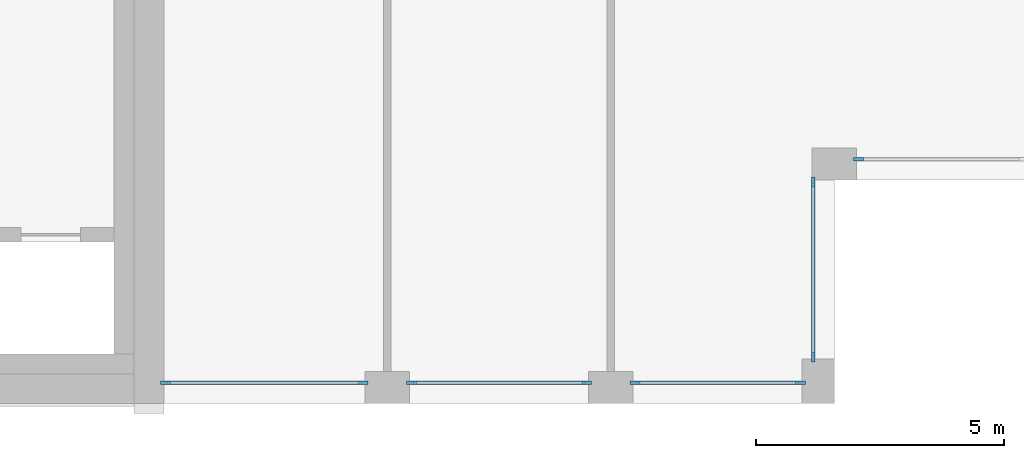
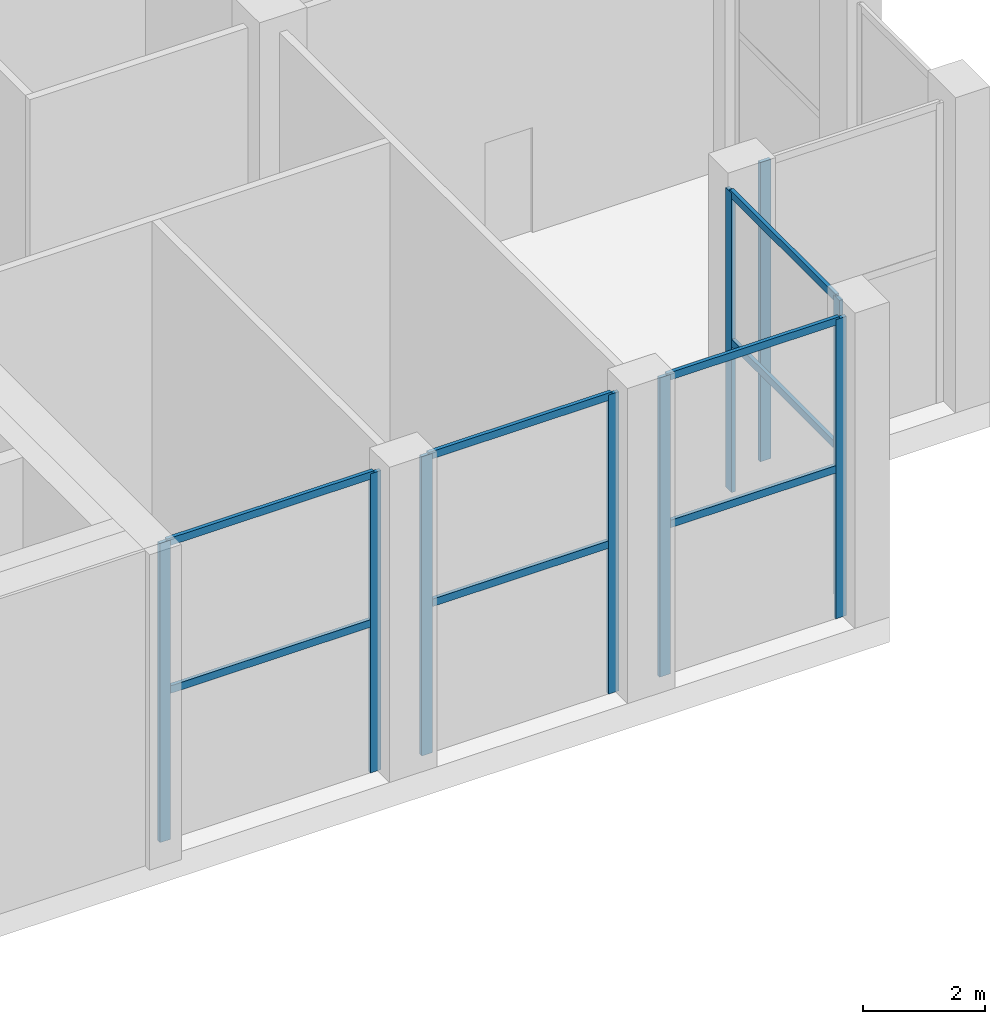
# One storey, part 4 of 18: 17 members, 5 elements without a shape of their own.
"""IFC4 building model written with IfcOpenShell, lengths in metres."""

from ifc_helpers import new_model, si_unit, direction, frame, origin, origin_2d, place, context, subcontext, project, spatial, rectangle, extrude, material, layer, layer_set, material_profile, profile_set, type_object, element, aggregate, save


model = new_model("IFC4")

# Units and contexts
model_context = context("Model", 3, precision=1e-05, world=origin(), true_north=direction((0.0, 1.0)))
body_context = subcontext(model_context, "Body", "Model", "MODEL_VIEW")
ifc_project = project(units=[si_unit("LENGTHUNIT", "METRE"), si_unit("AREAUNIT", "SQUARE_METRE"), si_unit("VOLUMEUNIT", "CUBIC_METRE"), si_unit("PLANEANGLEUNIT", "RADIAN"), si_unit("MASSUNIT", "GRAM", prefix="KILO")], contexts=[model_context])

# Site, building, storey
site_placement = place(None, origin())
site = spatial("IfcSite", under=ifc_project, at=site_placement, CompositionType="ELEMENT")
building_placement = place(site_placement, origin())
building = spatial("IfcBuilding", under=site, at=building_placement, Name="Brigalow Station Residences", CompositionType="ELEMENT")
storey_placement = place(building_placement, frame((0.0, 0.0, 191.699951171875)))
storey = spatial("IfcBuildingStorey", under=building, at=storey_placement, Name="L55", CompositionType="ELEMENT", Elevation=191.699951171875)

# Curtain wall, members
ifc_material_1 = material(Name="Aluminium", Category="aluminium")
ifc_layer = layer(ifc_material_1, 0.199951171875)
ifc_layer_set = layer_set([ifc_layer], Name="SKY FLOOR GLAZING CURTAIN WALL")
curtain_wall_type = type_object("IfcCurtainWallType", Name="SKY FLOOR GLAZING CURTAIN WALL", PredefinedType="NOTDEFINED", material=ifc_layer_set)
curtain_wall_1_placement = place(storey_placement, origin())
curtain_wall_1 = element("IfcCurtainWall", 1, at=curtain_wall_1_placement, inside=storey, type_object=curtain_wall_type, Name="L55/cw/W-L55-3", PredefinedType="NOTDEFINED")
ifc_material_2 = material(Name="Aluminium", Category="aluminium")
ifc_material_profile_1 = material_profile(ifc_material_2, rectangle(XDim=0.070068359375, YDim=0.199951171875, at=origin_2d()), Name="SKY FLOOR GLAZING MULLION 70x200")
ifc_profile_set_1 = profile_set([ifc_material_profile_1], Name="Aluminium")
member_type_1 = type_object("IfcMemberType", Name="SKY FLOOR GLAZING MULLION 70x200", PredefinedType="MULLION", material=ifc_profile_set_1)
member_1_placement = place(storey_placement, frame((54.034912109375, 0.425048828125, 0.0), z_axis=(0.0, 0.0, 1.0), x_axis=(0.0, 1.0, 0.0)))
member_1 = element("IfcMember", 2, at=member_1_placement, type_object=member_type_1, Name="L55/cw/W-L55-3/M00", PredefinedType="MULLION", context=body_context, shape_type="SweptSolid", body=[
    extrude(rectangle(XDim=0.070068359375, YDim=0.199951171875, at=origin_2d()), origin(), (0.0, 0.0, 1.0), 5.97998046875),
])
member_2_placement = place(storey_placement, frame((58.014892578125, 0.425048828125, 0.0), z_axis=(0.0, 0.0, 1.0), x_axis=(0.0, 1.0, 0.0)))
member_2 = element("IfcMember", 3, at=member_2_placement, type_object=member_type_1, Name="L55/cw/W-L55-3/M01", PredefinedType="MULLION", context=body_context, shape_type="SweptSolid", body=[
    extrude(rectangle(XDim=0.070068359375, YDim=0.199951171875, at=origin_2d()), origin(), (0.0, 0.0, 1.0), 5.97998046875),
])

curtain_wall_2_placement = place(storey_placement, origin())
curtain_wall_2 = element("IfcCurtainWall", 4, at=curtain_wall_2_placement, inside=storey, type_object=curtain_wall_type, Name="L55/cw/W-L55-4", PredefinedType="NOTDEFINED")
member_3_placement = place(storey_placement, frame((58.985107421875, 0.425048828125, 0.0), z_axis=(0.0, 0.0, 1.0), x_axis=(0.0, 1.0, 0.0)))
member_3 = element("IfcMember", 5, at=member_3_placement, type_object=member_type_1, Name="L55/cw/W-L55-4/M00", PredefinedType="MULLION", context=body_context, shape_type="SweptSolid", body=[
    extrude(rectangle(XDim=0.070068359375, YDim=0.199951171875, at=origin_2d()), origin(), (0.0, 0.0, 1.0), 5.97998046875),
])
member_4_placement = place(storey_placement, frame((62.514892578125, 0.425048828125, 0.0), z_axis=(0.0, 0.0, 1.0), x_axis=(0.0, 1.0, 0.0)))
member_4 = element("IfcMember", 6, at=member_4_placement, type_object=member_type_1, Name="L55/cw/W-L55-4/M01", PredefinedType="MULLION", context=body_context, shape_type="SweptSolid", body=[
    extrude(rectangle(XDim=0.070068359375, YDim=0.199951171875, at=origin_2d()), origin(), (0.0, 0.0, 1.0), 5.97998046875),
])

curtain_wall_3_placement = place(storey_placement, origin())
curtain_wall_3 = element("IfcCurtainWall", 7, at=curtain_wall_3_placement, inside=storey, type_object=curtain_wall_type, Name="L55/cw/W-L55-5", PredefinedType="NOTDEFINED")
member_5_placement = place(storey_placement, frame((63.485107421875, 0.425048828125, 0.0), z_axis=(0.0, 0.0, 1.0), x_axis=(0.0, 1.0, 0.0)))
member_5 = element("IfcMember", 8, at=member_5_placement, type_object=member_type_1, Name="L55/cw/W-L55-5/M00", PredefinedType="MULLION", context=body_context, shape_type="SweptSolid", body=[
    extrude(rectangle(XDim=0.070068359375, YDim=0.199951171875, at=origin_2d()), origin(), (0.0, 0.0, 1.0), 5.97998046875),
])
member_6_placement = place(storey_placement, frame((66.81494140625, 0.425048828125, 0.0), z_axis=(0.0, 0.0, 1.0), x_axis=(0.0, 1.0, 0.0)))
member_6 = element("IfcMember", 9, at=member_6_placement, type_object=member_type_1, Name="L55/cw/W-L55-5/M01", PredefinedType="MULLION", context=body_context, shape_type="SweptSolid", body=[
    extrude(rectangle(XDim=0.070068359375, YDim=0.199951171875, at=origin_2d()), origin(), (0.0, 0.0, 1.0), 5.97998046875),
])

curtain_wall_4_placement = place(storey_placement, origin())
curtain_wall_4 = element("IfcCurtainWall", 10, at=curtain_wall_4_placement, inside=storey, type_object=curtain_wall_type, Name="L55/cw/W-L55-6", PredefinedType="NOTDEFINED")
member_7_placement = place(storey_placement, frame((67.074951171875, 0.93505859375, 0.0), z_axis=(0.0, 0.0, 1.0), x_axis=(-1.0, 0.0, 0.0)))
member_7 = element("IfcMember", 11, at=member_7_placement, type_object=member_type_1, Name="L55/cw/W-L55-6/M00", PredefinedType="MULLION", context=body_context, shape_type="SweptSolid", body=[
    extrude(rectangle(XDim=0.070068359375, YDim=0.199951171875, at=origin_2d()), origin(), (0.0, 0.0, 1.0), 5.97998046875),
])
member_8_placement = place(storey_placement, frame((67.074951171875, 4.465087890625, 0.0), z_axis=(0.0, 0.0, 1.0), x_axis=(-1.0, 0.0, 0.0)))
member_8 = element("IfcMember", 12, at=member_8_placement, type_object=member_type_1, Name="L55/cw/W-L55-6/M01", PredefinedType="MULLION", context=body_context, shape_type="SweptSolid", body=[
    extrude(rectangle(XDim=0.070068359375, YDim=0.199951171875, at=origin_2d()), origin(), (0.0, 0.0, 1.0), 5.97998046875),
])

# Curtain wall, member
curtain_wall_5_placement = place(storey_placement, origin())
curtain_wall_5 = element("IfcCurtainWall", 13, at=curtain_wall_5_placement, inside=storey, type_object=curtain_wall_type, Name="L55/cw/W-L55-7", PredefinedType="NOTDEFINED")
member_9_placement = place(storey_placement, frame((67.985107421875, 4.925048828125, 0.0), z_axis=(0.0, 0.0, 1.0), x_axis=(0.0, 1.0, 0.0)))
member_9 = element("IfcMember", 14, at=member_9_placement, type_object=member_type_1, Name="L55/cw/W-L55-7/M00", PredefinedType="MULLION", context=body_context, shape_type="SweptSolid", body=[
    extrude(rectangle(XDim=0.070068359375, YDim=0.199951171875, at=origin_2d()), origin(), (0.0, 0.0, 1.0), 5.97998046875),
])
aggregate(curtain_wall_5, [member_9])

# Member
ifc_material_3 = material(Name="Aluminium", Category="aluminium")
ifc_material_profile_2 = material_profile(ifc_material_3, rectangle(XDim=0.070068359375, YDim=0.14990234375, at=origin_2d()), Name="SKY FLOOR GLAZING TRANSOM 70x150")
ifc_profile_set_2 = profile_set([ifc_material_profile_2], Name="Aluminium")
member_type_2 = type_object("IfcMemberType", Name="SKY FLOOR GLAZING TRANSOM 70x150", PredefinedType="USERDEFINED", material=ifc_profile_set_2)
member_10_placement = place(storey_placement, frame((54.070068359375, 0.425048828125, 2.989990234375), z_axis=(1.0, 0.0, 0.0), x_axis=(0.0, 1.0, 0.0)))
member_10 = element("IfcMember", 15, at=member_10_placement, type_object=member_type_2, Name="L55/cw/W-L55-3/T00-00", ObjectType="TRANSOM", PredefinedType="USERDEFINED", context=body_context, shape_type="SweptSolid", body=[
    extrude(rectangle(XDim=0.070068359375, YDim=0.14990234375, at=origin_2d()), origin(), (0.0, 0.0, 1.0), 3.909912109375),
])

member_11_placement = place(storey_placement, frame((54.070068359375, 0.425048828125, 5.945068359375), z_axis=(1.0, 0.0, 0.0), x_axis=(0.0, 1.0, 0.0)))
member_11 = element("IfcMember", 16, at=member_11_placement, type_object=member_type_2, Name="L55/cw/W-L55-3/T00-01", ObjectType="TRANSOM", PredefinedType="USERDEFINED", context=body_context, shape_type="SweptSolid", body=[
    extrude(rectangle(XDim=0.070068359375, YDim=0.14990234375, at=origin_2d()), origin(), (0.0, 0.0, 1.0), 3.909912109375),
])

aggregate(curtain_wall_1, [member_1, member_2, member_10, member_11])

member_12_placement = place(storey_placement, frame((59.02001953125, 0.425048828125, 2.989990234375), z_axis=(1.0, 0.0, 0.0), x_axis=(0.0, 1.0, 0.0)))
member_12 = element("IfcMember", 17, at=member_12_placement, type_object=member_type_2, Name="L55/cw/W-L55-4/T00-00", ObjectType="TRANSOM", PredefinedType="USERDEFINED", context=body_context, shape_type="SweptSolid", body=[
    extrude(rectangle(XDim=0.070068359375, YDim=0.14990234375, at=origin_2d()), origin(), (0.0, 0.0, 1.0), 3.4599609375),
])

member_13_placement = place(storey_placement, frame((59.02001953125, 0.425048828125, 5.945068359375), z_axis=(1.0, 0.0, 0.0), x_axis=(0.0, 1.0, 0.0)))
member_13 = element("IfcMember", 18, at=member_13_placement, type_object=member_type_2, Name="L55/cw/W-L55-4/T00-01", ObjectType="TRANSOM", PredefinedType="USERDEFINED", context=body_context, shape_type="SweptSolid", body=[
    extrude(rectangle(XDim=0.070068359375, YDim=0.14990234375, at=origin_2d()), origin(), (0.0, 0.0, 1.0), 3.4599609375),
])

aggregate(curtain_wall_2, [member_3, member_4, member_12, member_13])

member_14_placement = place(storey_placement, frame((63.52001953125, 0.425048828125, 2.989990234375), z_axis=(1.0, 0.0, 0.0), x_axis=(0.0, 1.0, 0.0)))
member_14 = element("IfcMember", 19, at=member_14_placement, type_object=member_type_2, Name="L55/cw/W-L55-5/T00-00", ObjectType="TRANSOM", PredefinedType="USERDEFINED", context=body_context, shape_type="SweptSolid", body=[
    extrude(rectangle(XDim=0.070068359375, YDim=0.14990234375, at=origin_2d()), origin(), (0.0, 0.0, 1.0), 3.260009765625),
])

member_15_placement = place(storey_placement, frame((63.52001953125, 0.425048828125, 5.945068359375), z_axis=(1.0, 0.0, 0.0), x_axis=(0.0, 1.0, 0.0)))
member_15 = element("IfcMember", 20, at=member_15_placement, type_object=member_type_2, Name="L55/cw/W-L55-5/T00-01", ObjectType="TRANSOM", PredefinedType="USERDEFINED", context=body_context, shape_type="SweptSolid", body=[
    extrude(rectangle(XDim=0.070068359375, YDim=0.14990234375, at=origin_2d()), origin(), (0.0, 0.0, 1.0), 3.260009765625),
])

aggregate(curtain_wall_3, [member_5, member_6, member_14, member_15])

member_16_placement = place(storey_placement, frame((67.074951171875, 0.969970703125, 2.989990234375), z_axis=(0.0, 1.0, 0.0), x_axis=(-1.0, 0.0, 0.0)))
member_16 = element("IfcMember", 21, at=member_16_placement, type_object=member_type_2, Name="L55/cw/W-L55-6/T00-00", ObjectType="TRANSOM", PredefinedType="USERDEFINED", context=body_context, shape_type="SweptSolid", body=[
    extrude(rectangle(XDim=0.070068359375, YDim=0.14990234375, at=origin_2d()), origin(), (0.0, 0.0, 1.0), 3.4599609375),
])

member_17_placement = place(storey_placement, frame((67.074951171875, 0.969970703125, 5.945068359375), z_axis=(0.0, 1.0, 0.0), x_axis=(-1.0, 0.0, 0.0)))
member_17 = element("IfcMember", 22, at=member_17_placement, type_object=member_type_2, Name="L55/cw/W-L55-6/T00-01", ObjectType="TRANSOM", PredefinedType="USERDEFINED", context=body_context, shape_type="SweptSolid", body=[
    extrude(rectangle(XDim=0.070068359375, YDim=0.14990234375, at=origin_2d()), origin(), (0.0, 0.0, 1.0), 3.4599609375),
])

aggregate(curtain_wall_4, [member_7, member_8, member_16, member_17])

save(model, "model.ifc")
